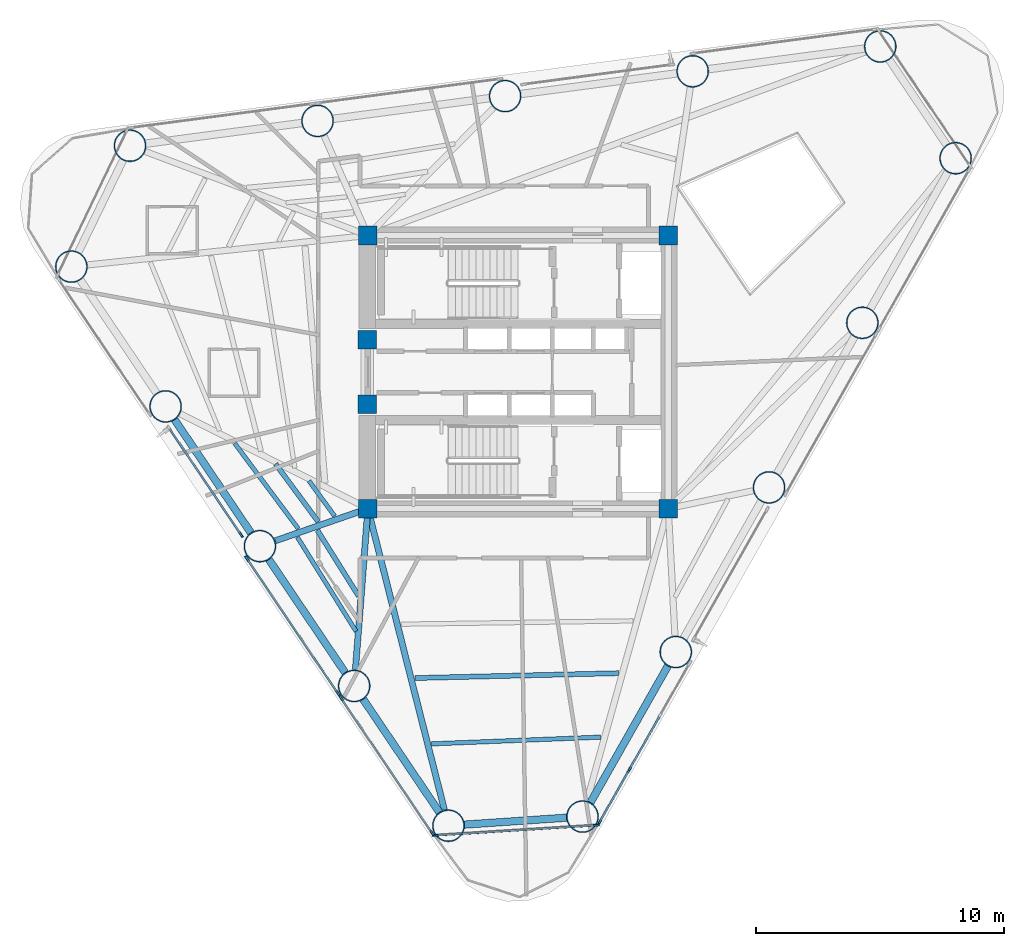
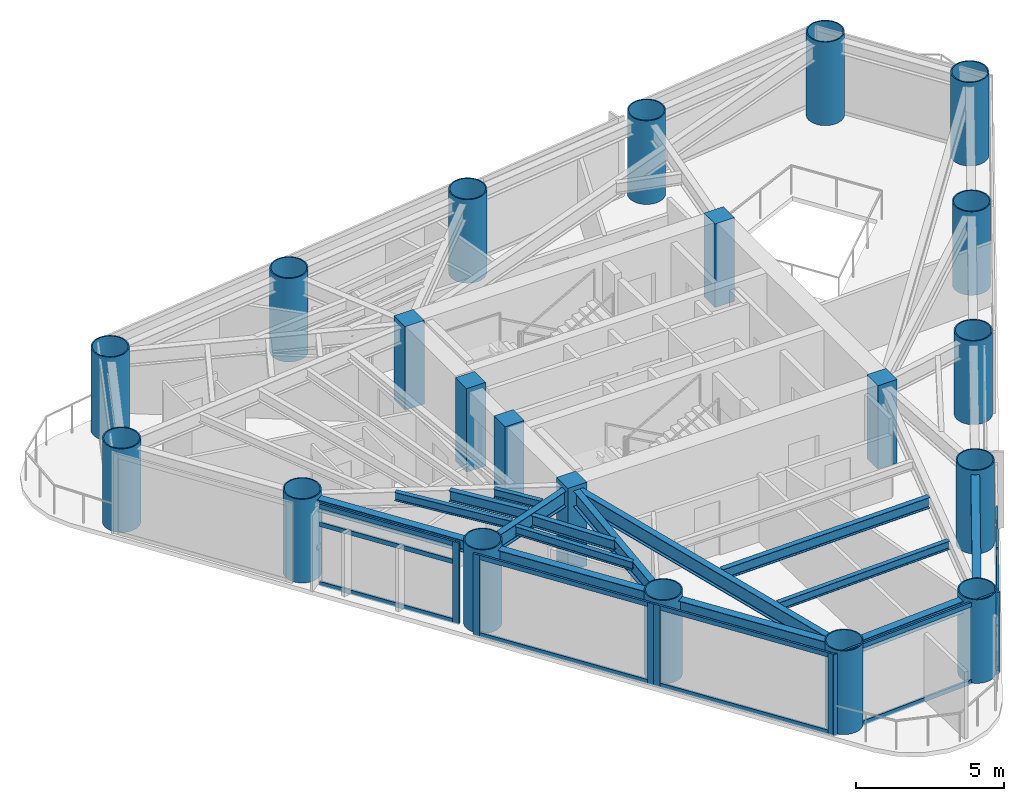
# One storey, part 1 of 9: 24 members, 21 columns, 15 beams, 5 elements without a shape of their own.
"""IFC4 building model written with IfcOpenShell, lengths in metres."""

import ifcopenshell
import ifcopenshell.guid

model = None  # the IFC model being written
_history = None  # IfcOwnerHistory: only IFC2X3 demands one
_inside = {}  # id of a spatial element -> (the spatial element, [elements in it])
_under = {}  # id of a project, library or spatial element -> (it, [spatial elements below it])
_declared = {}  # id of a project -> (the project, [libraries it declares])
_typed = {}  # id of a type object -> (the type object, [elements of that type])
_made_of = {}  # id of a material, layer set ... -> (it, [elements and type objects made of it])


def new_model(schema):
    """Start an empty IFC model of exactly this schema.

    Asked for "IFC4X3", IfcOpenShell would pick the latest addendum, in which some entities
    have other attributes; the version numbers below select the first issue.
    IFC2X3 requires an IfcOwnerHistory on every rooted entity: one is made here for all.
    """
    global model, _history
    if schema == "IFC4X3":
        model = ifcopenshell.file(schema_version=(4, 3, 0, 0))
    else:
        model = ifcopenshell.file(schema=schema)
    _inside.clear()
    _under.clear()
    _declared.clear()
    _typed.clear()
    _made_of.clear()
    _history = None
    if model.schema == "IFC2X3":
        org = make("IfcOrganization", Name="unknown")
        user = make(
            "IfcPersonAndOrganization",
            ThePerson=make("IfcPerson", FamilyName="unknown"),
            TheOrganization=org,
        )
        app = make(
            "IfcApplication",
            ApplicationDeveloper=org,
            Version="unknown",
            ApplicationFullName="unknown",
            ApplicationIdentifier="unknown",
        )
        _history = make(
            "IfcOwnerHistory",
            OwningUser=user,
            OwningApplication=app,
            ChangeAction="ADDED",
            CreationDate=0,
        )
    return model


def make(cls, **values):
    """One entity of the class cls with the attributes given. An attribute that is None is left unset."""
    return model.create_entity(
        cls, **{name: value for name, value in values.items() if value is not None}
    )


def rooted(cls, **values):
    """An entity with a GlobalId (a new one), such as an element, a storey or a relation."""
    return make(cls, GlobalId=ifcopenshell.guid.new(), OwnerHistory=_history, **values)


def si_unit(unit_type, name, prefix=None):
    """IfcSIUnit, for example si_unit("LENGTHUNIT", "METRE", prefix="MILLI")."""
    return make("IfcSIUnit", UnitType=unit_type, Prefix=prefix, Name=name)


def assignment(units):
    """IfcUnitAssignment: the units of a project."""
    return None if units is None else make("IfcUnitAssignment", Units=units)


def point(xyz):
    """IfcCartesianPoint."""
    return None if xyz is None else make("IfcCartesianPoint", Coordinates=xyz)


def direction(xyz):
    """IfcDirection."""
    return None if xyz is None else make("IfcDirection", DirectionRatios=xyz)


def frame(location, z_axis=None, x_axis=None):
    """IfcAxis2Placement3D, a coordinate frame: its origin and axes. An axis left out is left unset."""
    return make(
        "IfcAxis2Placement3D",
        Location=point(location),
        Axis=direction(z_axis),
        RefDirection=direction(x_axis),
    )


def frame_2d(location, x_axis=None):
    """IfcAxis2Placement2D, a coordinate frame in the plane: its origin and x axis."""
    return make(
        "IfcAxis2Placement2D", Location=point(location), RefDirection=direction(x_axis)
    )


def origin():
    """The frame at (0, 0, 0) with its axes left unset."""
    return frame((0.0, 0.0, 0.0))


def origin_2d():
    """The frame at (0, 0) in the plane with its x axis left unset."""
    return frame_2d((0.0, 0.0))


def place(relative_to, where):
    """IfcLocalPlacement: puts the frame where relative to a parent placement (None: the world)."""
    return make(
        "IfcLocalPlacement", PlacementRelTo=relative_to, RelativePlacement=where
    )


def context(
    kind, dimensions, precision=None, world=None, true_north=None, identifier=None
):
    """IfcGeometricRepresentationContext, for example the 3D "Model" context."""
    return make(
        "IfcGeometricRepresentationContext",
        ContextIdentifier=identifier,
        ContextType=kind,
        CoordinateSpaceDimension=dimensions,
        Precision=precision,
        WorldCoordinateSystem=world,
        TrueNorth=true_north,
    )


def subcontext(parent, identifier, kind, view, scale=None):
    """IfcGeometricRepresentationSubContext, for example "Body" below "Model"."""
    return make(
        "IfcGeometricRepresentationSubContext",
        ContextIdentifier=identifier,
        ContextType=kind,
        ParentContext=parent,
        TargetScale=scale,
        TargetView=view,
    )


def project(units=None, contexts=None):
    """IfcProject with its units and contexts."""
    return rooted(
        "IfcProject",
        Name="project",
        RepresentationContexts=contexts,
        UnitsInContext=assignment(units),
    )


def spatial(cls, under=None, at=None, **own):
    """A site, building, storey or space (cls), placed at a placement, below another one or the project."""
    s = rooted(cls, ObjectPlacement=at, **own)
    if under is not None:
        _under.setdefault(under.id(), (under, []))[1].append(s)
    return s


def profile(cls, at=None, kind="AREA", **sizes):
    """A parametric profile (cls). Its sizes go by their IFC names, for example OverallWidth=200.0."""
    return make(cls, ProfileType=kind, Position=at, **sizes)


def rectangle(**sizes):
    """IfcRectangleProfileDef."""
    return profile("IfcRectangleProfileDef", **sizes)


def hollow_circle(**sizes):
    """IfcCircleHollowProfileDef."""
    return profile("IfcCircleHollowProfileDef", **sizes)


def i_section(**sizes):
    """IfcIShapeProfileDef."""
    return profile("IfcIShapeProfileDef", **sizes)


def extrude(swept, where, along, depth):
    """IfcExtrudedAreaSolid: the profile swept, set in the frame where, extruded along a direction by depth."""
    return make(
        "IfcExtrudedAreaSolid",
        SweptArea=swept,
        Position=where,
        ExtrudedDirection=direction(along),
        Depth=depth,
    )


def shape(context_of_items, identifier, shape_type, items):
    """IfcShapeRepresentation: the items that make up one representation, for example the "Body"."""
    return make(
        "IfcShapeRepresentation",
        ContextOfItems=context_of_items,
        RepresentationIdentifier=identifier,
        RepresentationType=shape_type,
        Items=items,
    )


def source(mapping_origin, context_of_items, identifier, shape_type, items):
    """IfcRepresentationMap: a shape defined once, which mapped items show again and again."""
    return make(
        "IfcRepresentationMap",
        MappingOrigin=mapping_origin,
        MappedRepresentation=shape(context_of_items, identifier, shape_type, items),
    )


def transform(
    local_origin,
    x_axis=None,
    y_axis=None,
    z_axis=None,
    scale=None,
    scale2=None,
    scale3=None,
    uniform=True,
):
    """IfcCartesianTransformationOperator3D, or its non-uniform kind. x_axis, y_axis, z_axis: its Axis1, 2, 3."""
    if uniform:
        return make(
            "IfcCartesianTransformationOperator3D",
            Axis1=direction(x_axis),
            Axis2=direction(y_axis),
            LocalOrigin=point(local_origin),
            Scale=scale,
            Axis3=direction(z_axis),
        )
    return make(
        "IfcCartesianTransformationOperator3DnonUniform",
        Axis1=direction(x_axis),
        Axis2=direction(y_axis),
        LocalOrigin=point(local_origin),
        Scale=scale,
        Axis3=direction(z_axis),
        Scale2=scale2,
        Scale3=scale3,
    )


def mapped(mapping_source, mapping_target):
    """IfcMappedItem: shows the shape of a source again, moved by a transform."""
    return make(
        "IfcMappedItem", MappingSource=mapping_source, MappingTarget=mapping_target
    )


def material(Name=None, Category=None):
    """IfcMaterial."""
    return make("IfcMaterial", Name=Name, Category=Category)


def layer(
    of_material, thickness, ventilated=None, Name=None, Category=None, Priority=None
):
    """IfcMaterialLayer: one layer of a wall or slab, of a material (None: an air gap)."""
    return make(
        "IfcMaterialLayer",
        Material=of_material,
        LayerThickness=thickness,
        IsVentilated=ventilated,
        Name=Name,
        Category=Category,
        Priority=Priority,
    )


def layer_set(layers, Name=None):
    """IfcMaterialLayerSet."""
    return make("IfcMaterialLayerSet", MaterialLayers=layers, LayerSetName=Name)


def material_profile(
    of_material, cross_section, Name=None, Category=None, Priority=None
):
    """IfcMaterialProfile: a cross section and its material."""
    return make(
        "IfcMaterialProfile",
        Name=Name,
        Material=of_material,
        Profile=cross_section,
        Priority=Priority,
        Category=Category,
    )


def profile_set(profiles, Name=None, composite=None):
    """IfcMaterialProfileSet."""
    return make(
        "IfcMaterialProfileSet",
        Name=Name,
        MaterialProfiles=profiles,
        CompositeProfile=composite,
    )


def made_of(thing, what):
    """Note that an element or type object is made of a material, layer set ...; save() writes the relation."""
    if what is not None:
        _made_of.setdefault(what.id(), (what, []))[1].append(thing)
    return thing


def type_object(cls, material=None, **own):
    """A type object (cls), such as IfcWallType, which elements share."""
    return made_of(rooted(cls, **own), material)


def element(
    cls,
    number,
    at=None,
    inside=None,
    cuts=None,
    type_object=None,
    material=None,
    context=None,
    identifier="Body",
    shape_type=None,
    held_by="IfcProductDefinitionShape",
    body=None,
    shapes=None,
    **own,
):
    """One element of the class cls, such as IfcWall. Its Tag is "e" and its number.

    at: its placement. inside: the storey or other place that contains it. cuts: it is an
    opening in that element (IfcRelVoidsElement). A single representation is given by context,
    identifier, shape_type and body (its items); several are given by shapes. held_by: the class
    of the entity that holds the representations. save() writes the other relations.
    """
    e = rooted(cls, Tag="e%d" % number, ObjectPlacement=at, **own)
    if body is not None:
        shapes = [shape(context, identifier, shape_type, body)]
    if shapes is not None:
        e.Representation = make(held_by, Representations=shapes)
    if inside is not None:
        _inside.setdefault(inside.id(), (inside, []))[1].append(e)
    if cuts is not None:
        rooted(
            "IfcRelVoidsElement", RelatingBuildingElement=cuts, RelatedOpeningElement=e
        )
    if type_object is not None:
        _typed.setdefault(type_object.id(), (type_object, []))[1].append(e)
    return made_of(e, material)


def aggregate(whole, parts):
    """IfcRelAggregates: a whole, such as a stair, and the parts it consists of."""
    return rooted("IfcRelAggregates", RelatingObject=whole, RelatedObjects=parts)


def save(model, path):
    """Write the relations noted so far, then the file.

    IfcRelAggregates (storeys below a building ...), IfcRelContainedInSpatialStructure (elements
    in a storey), IfcRelDefinesByType, IfcRelAssociatesMaterial and IfcRelDeclares: one each for
    every whole, place, type object, material and project.
    """
    for whole, parts in _under.values():
        aggregate(whole, parts)
    for where, things in _inside.values():
        rooted(
            "IfcRelContainedInSpatialStructure",
            RelatedElements=things,
            RelatingStructure=where,
        )
    for kind, things in _typed.values():
        rooted("IfcRelDefinesByType", RelatedObjects=things, RelatingType=kind)
    for what, things in _made_of.values():
        rooted("IfcRelAssociatesMaterial", RelatedObjects=things, RelatingMaterial=what)
    for by, libraries in _declared.values():
        rooted("IfcRelDeclares", RelatingContext=by, RelatedDefinitions=libraries)
    model.write(path)


model = new_model("IFC4")

# Units and contexts
model_context = context("Model", 3, precision=1e-05, world=origin(), true_north=direction((0.0, 1.0)))
body_context = subcontext(model_context, "Body", "Model", "MODEL_VIEW")
ifc_project = project(units=[si_unit("LENGTHUNIT", "METRE"), si_unit("AREAUNIT", "SQUARE_METRE"), si_unit("VOLUMEUNIT", "CUBIC_METRE"), si_unit("PLANEANGLEUNIT", "RADIAN"), si_unit("MASSUNIT", "GRAM", prefix="KILO")], contexts=[model_context])

# Site, building, storey
site_placement = place(None, origin())
site = spatial("IfcSite", under=ifc_project, at=site_placement, CompositionType="ELEMENT")
building_placement = place(site_placement, origin())
building = spatial("IfcBuilding", under=site, at=building_placement, Name="Yunling Apex Tower", CompositionType="ELEMENT")
storey_placement = place(building_placement, frame((0.0, 0.0, 165.64990234375)))
storey = spatial("IfcBuildingStorey", under=building, at=storey_placement, Name="L40", CompositionType="ELEMENT", Elevation=165.64990234375)

# Columns
ifc_material_1 = material(Name="Concrete C50", Category="concrete")
ifc_material_profile_1 = material_profile(ifc_material_1, rectangle(XDim=0.75, YDim=0.75, at=origin_2d()))
ifc_profile_set_1 = profile_set([ifc_material_profile_1], Name="Concrete C50")
column_type_1 = type_object("IfcColumnType", Name="PC-SRC-4", PredefinedType="COLUMN", material=ifc_profile_set_1)
shared_shape_1 = source(origin(), body_context, "Body", "SweptSolid", [
    extrude(rectangle(XDim=0.75, YDim=0.75, at=origin_2d()), origin(), (0.0, 0.0, 1.0), 3.4501953125),
])
for number, where, z_axis, x_axis, name in (
    (1, (-6.050048828125, -5.5, 0.0), (0.0, 0.0, 1.0), (1.0, 0.0, 0.0), "L40 Core Spine Column CC-SW"),
    (2, (6.050048828125, -5.5, 0.0), (0.0, 0.0, 1.0), (1.0, 0.0, 0.0), "L40 Core Spine Column CC-SE"),
    (3, (6.050048828125, 5.5, 0.0), (0.0, 0.0, 1.0), (1.0, 0.0, 0.0), "L40 Core Spine Column CC-NE"),
    (4, (-6.050048828125, 5.5, 0.0), (0.0, 0.0, 1.0), (1.0, 0.0, 0.0), "L40 Core Spine Column CC-NW"),
    (5, (-6.074951171875, -1.300048828125, 0.0), (0.0, 0.0, 1.0), (1.0, 0.0, 0.0), "L40 Core West Portal Jamb Column S"),
    (6, (-6.074951171875, 1.300048828125, 0.0), (0.0, 0.0, 1.0), (1.0, 0.0, 0.0), "L40 Core West Portal Jamb Column N"),
):
    element("IfcColumn", number, at=place(storey_placement, frame(where, z_axis=z_axis, x_axis=x_axis)), inside=storey, type_object=column_type_1, Name=name, PredefinedType="COLUMN", context=body_context, shape_type="MappedRepresentation", body=[
        mapped(shared_shape_1, transform((0.0, 0.0, 0.0), scale=1.0)),
    ])
ifc_material_2 = material(Name="Steel Q390GJC", Category="steel")
ifc_material_profile_2 = material_profile(ifc_material_2, hollow_circle(Radius=0.64990234375, WallThickness=0.044921875, at=origin_2d()))
ifc_profile_set_2 = profile_set([ifc_material_profile_2], Name="Steel Q390GJC")
column_type_2 = type_object("IfcColumnType", Name="MC-CFST-3", PredefinedType="COLUMN", material=ifc_profile_set_2)
shared_shape_2 = source(origin(), body_context, "Body", "SweptSolid", [
    extrude(hollow_circle(Radius=0.64990234375, WallThickness=0.044921875, at=origin_2d()), origin(), (0.0, 0.0, 1.0), 3.4501953125),
])
for number, where, z_axis, x_axis, name in (
    (7, (2.5947265625, -17.907958984375, 0.0), (0.0, 0.0, 1.0), (1.0, 0.0, 0.0), "L40 Perimeter CFST Mega-Column P01"),
    (8, (6.351806640625, -11.27783203125, 0.0), (0.0, 0.0, 1.0), (1.0, 0.0, 0.0), "L40 Perimeter CFST Mega-Column P02"),
    (9, (10.109130859375, -4.64794921875, 0.0), (0.0, 0.0, 1.0), (1.0, 0.0, 0.0), "L40 Perimeter CFST Mega-Column P03"),
    (10, (13.8662109375, 1.982177734375, 0.0), (0.0, 0.0, 1.0), (1.0, 0.0, 0.0), "L40 Perimeter CFST Mega-Column P04"),
    (11, (17.62353515625, 8.612060546875, 0.0), (0.0, 0.0, 1.0), (1.0, 0.0, 0.0), "L40 Perimeter CFST Mega-Column P05"),
    (12, (14.5869140625, 13.114013671875, 0.0), (0.0, 0.0, 1.0), (1.0, 0.0, 0.0), "L40 Perimeter CFST Mega-Column P06"),
    (13, (7.0322265625, 12.114013671875, 0.0), (0.0, 0.0, 1.0), (1.0, 0.0, 0.0), "L40 Perimeter CFST Mega-Column P07"),
    (14, (-0.5224609375, 11.114013671875, 0.0), (0.0, 0.0, 1.0), (1.0, 0.0, 0.0), "L40 Perimeter CFST Mega-Column P08"),
    (15, (-8.0771484375, 10.1142578125, 0.0), (0.0, 0.0, 1.0), (1.0, 0.0, 0.0), "L40 Perimeter CFST Mega-Column P09"),
    (16, (-15.6318359375, 9.1142578125, 0.0), (0.0, 0.0, 1.0), (1.0, 0.0, 0.0), "L40 Perimeter CFST Mega-Column P10"),
    (17, (-17.9951171875, 4.2451171875, 0.0), (0.0, 0.0, 1.0), (1.0, 0.0, 0.0), "L40 Perimeter CFST Mega-Column P11"),
    (18, (-14.197509765625, -1.384765625, 0.0), (0.0, 0.0, 1.0), (1.0, 0.0, 0.0), "L40 Perimeter CFST Mega-Column P12"),
    (19, (-10.39990234375, -7.014892578125, 0.0), (0.0, 0.0, 1.0), (1.0, 0.0, 0.0), "L40 Perimeter CFST Mega-Column P13"),
    (20, (-6.6025390625, -12.64501953125, 0.0), (0.0, 0.0, 1.0), (1.0, 0.0, 0.0), "L40 Perimeter CFST Mega-Column P14"),
    (21, (-2.804931640625, -18.27490234375, 0.0), (0.0, 0.0, 1.0), (1.0, 0.0, 0.0), "L40 Perimeter CFST Mega-Column P15"),
):
    element("IfcColumn", number, at=place(storey_placement, frame(where, z_axis=z_axis, x_axis=x_axis)), inside=storey, type_object=column_type_2, Name=name, PredefinedType="COLUMN", context=body_context, shape_type="MappedRepresentation", body=[
        mapped(shared_shape_2, transform((0.0, 0.0, 0.0), scale=1.0)),
    ])

# Beams
ifc_material_3 = material(Name="Steel Q355B", Category="steel")
ifc_material_profile_3 = material_profile(ifc_material_3, i_section(OverallWidth=0.300048828125, OverallDepth=0.489990234375, WebThickness=0.010986328125, FlangeThickness=0.01806640625, FilletRadius=0.02197265625, at=origin_2d()))
ifc_profile_set_3 = profile_set([ifc_material_profile_3], Name="Steel Q355B")
beam_type_1 = type_object("IfcBeamType", Name="BP-SPN-2", PredefinedType="SPANDREL", material=ifc_profile_set_3)
shared_shape_3 = source(origin(), body_context, "Body", "SweptSolid", [
    extrude(i_section(OverallWidth=0.300048828125, OverallDepth=0.489990234375, WebThickness=0.010986328125, FlangeThickness=0.01806640625, FilletRadius=0.02197265625, at=origin_2d()), origin(), (0.0, 0.0, 1.0), 6.332763671875),
])
beam_1_placement = place(storey_placement, frame((2.912109375, -17.34765625, 3.025146484375), z_axis=(0.493042725972, 0.870005097897, 0.0), x_axis=(-0.870005097897, 0.493042725972, 0.0)))
element("IfcBeam", 22, at=beam_1_placement, inside=storey, type_object=beam_type_1, Name="L40 Perimeter Spandrel Beam 1", PredefinedType="SPANDREL", context=body_context, shape_type="MappedRepresentation", body=[
    mapped(shared_shape_3, transform((0.0, 0.0, 0.0), scale=1.0)),
])
shared_shape_4 = source(origin(), body_context, "Body", "SweptSolid", [
    extrude(i_section(OverallWidth=0.300048828125, OverallDepth=0.489990234375, WebThickness=0.010986328125, FlangeThickness=0.01806640625, FilletRadius=0.02197265625, at=origin_2d()), origin(), (0.0, 0.0, 1.0), 5.5029296875),
])
beam_2_placement = place(storey_placement, frame((-10.039794921875, -7.548828125, 3.025146484375), z_axis=(0.559176417619, -0.829048692164, 0.0), x_axis=(0.829048692164, 0.559176417619, 0.0)))
element("IfcBeam", 23, at=beam_2_placement, inside=storey, type_object=beam_type_1, Name="L40 Perimeter Spandrel Beam 13", PredefinedType="SPANDREL", context=body_context, shape_type="MappedRepresentation", body=[
    mapped(shared_shape_4, transform((0.0, 0.0, 0.0), scale=1.0)),
])
shared_shape_5 = source(origin(), body_context, "Body", "SweptSolid", [
    extrude(i_section(OverallWidth=0.300048828125, OverallDepth=0.489990234375, WebThickness=0.010986328125, FlangeThickness=0.01806640625, FilletRadius=0.02197265625, at=origin_2d()), origin(), (0.0, 0.0, 1.0), 5.503173828125),
])
beam_3_placement = place(storey_placement, frame((-13.83740234375, -1.918701171875, 3.025146484375), z_axis=(0.55920690951, -0.82902812519, 0.0), x_axis=(0.82902812519, 0.55920690951, 0.0)))
element("IfcBeam", 24, at=beam_3_placement, inside=storey, type_object=beam_type_1, Name="L40 Perimeter Spandrel Beam 12", PredefinedType="SPANDREL", context=body_context, shape_type="MappedRepresentation", body=[
    mapped(shared_shape_5, transform((0.0, 0.0, 0.0), scale=1.0)),
])
shared_shape_6 = source(origin(), body_context, "Body", "SweptSolid", [
    extrude(i_section(OverallWidth=0.300048828125, OverallDepth=0.489990234375, WebThickness=0.010986328125, FlangeThickness=0.01806640625, FilletRadius=0.02197265625, at=origin_2d()), origin(), (0.0, 0.0, 1.0), 5.50341796875),
])
beam_4_placement = place(storey_placement, frame((-6.242431640625, -13.1787109375, 3.025146484375), z_axis=(0.55918634307, -0.829041997564, 0.0), x_axis=(0.829041997564, 0.55918634307, 0.0)))
element("IfcBeam", 25, at=beam_4_placement, inside=storey, type_object=beam_type_1, Name="L40 Perimeter Spandrel Beam 14", PredefinedType="SPANDREL", context=body_context, shape_type="MappedRepresentation", body=[
    mapped(shared_shape_6, transform((0.0, 0.0, 0.0), scale=1.0)),
])
shared_shape_7 = source(origin(), body_context, "Body", "SweptSolid", [
    extrude(i_section(OverallWidth=0.300048828125, OverallDepth=0.489990234375, WebThickness=0.010986328125, FlangeThickness=0.01806640625, FilletRadius=0.02197265625, at=origin_2d()), origin(), (0.0, 0.0, 1.0), 4.124267578125),
])
beam_5_placement = place(storey_placement, frame((-2.16259765625, -18.231201171875, 3.025146484375), z_axis=(0.997700280582, 0.067780160274, 0.0), x_axis=(-0.067780160274, 0.997700280582, 0.0)))
element("IfcBeam", 26, at=beam_5_placement, inside=storey, type_object=beam_type_1, Name="L40 Perimeter Spandrel Beam 15", PredefinedType="SPANDREL", context=body_context, shape_type="MappedRepresentation", body=[
    mapped(shared_shape_7, transform((0.0, 0.0, 0.0), scale=1.0)),
])
ifc_material_profile_4 = material_profile(ifc_material_3, i_section(OverallWidth=0.25, OverallDepth=0.64990234375, WebThickness=0.011962890625, FlangeThickness=0.02001953125, FilletRadius=0.02392578125, at=origin_2d()))
ifc_profile_set_4 = profile_set([ifc_material_profile_4], Name="Steel Q355B")
beam_type_2 = type_object("IfcBeamType", Name="BG-PRI-4", PredefinedType="USERDEFINED", material=ifc_profile_set_4)
shared_shape_8 = source(origin(), body_context, "Body", "SweptSolid", [
    extrude(i_section(OverallWidth=0.25, OverallDepth=0.64990234375, WebThickness=0.011962890625, FlangeThickness=0.02001953125, FilletRadius=0.02392578125, at=origin_2d()), origin(), (0.0, 0.0, 1.0), 3.8681640625),
])
beam_6_placement = place(storey_placement, frame((-9.778564453125, -6.798583984375, 2.945068359375), z_axis=(0.944369860351, 0.328885339991, 0.0), x_axis=(-0.328885339991, 0.944369860351, 0.0)))
element("IfcBeam", 27, at=beam_6_placement, inside=storey, type_object=beam_type_2, Name="L40 Radial Primary Girder R13", ObjectType="GIRDER", PredefinedType="USERDEFINED", context=body_context, shape_type="MappedRepresentation", body=[
    mapped(shared_shape_8, transform((0.0, 0.0, 0.0), scale=1.0)),
])
shared_shape_9 = source(origin(), body_context, "Body", "SweptSolid", [
    extrude(i_section(OverallWidth=0.25, OverallDepth=0.64990234375, WebThickness=0.011962890625, FlangeThickness=0.02001953125, FilletRadius=0.02392578125, at=origin_2d()), origin(), (0.0, 0.0, 1.0), 6.42822265625),
])
beam_7_placement = place(storey_placement, frame((-6.5517578125, -11.989013671875, 2.945068359375), z_axis=(0.077097282386, 0.997023574971, 0.0), x_axis=(-0.997023574971, 0.077097282386, 0.0)))
element("IfcBeam", 28, at=beam_7_placement, inside=storey, type_object=beam_type_2, Name="L40 Radial Primary Girder R14", ObjectType="GIRDER", PredefinedType="USERDEFINED", context=body_context, shape_type="MappedRepresentation", body=[
    mapped(shared_shape_9, transform((0.0, 0.0, 0.0), scale=1.0)),
])
shared_shape_10 = source(origin(), body_context, "Body", "SweptSolid", [
    extrude(i_section(OverallWidth=0.25, OverallDepth=0.64990234375, WebThickness=0.011962890625, FlangeThickness=0.02001953125, FilletRadius=0.02392578125, at=origin_2d()), origin(), (0.0, 0.0, 1.0), 12.44287109375),
])
beam_8_placement = place(storey_placement, frame((-2.967041015625, -17.63720703125, 2.945068359375), z_axis=(-0.246185736667, 0.969222669494, 0.0), x_axis=(-0.969222669494, -0.246185736667, 0.0)))
element("IfcBeam", 29, at=beam_8_placement, inside=storey, type_object=beam_type_2, Name="L40 Radial Primary Girder R15", ObjectType="GIRDER", PredefinedType="USERDEFINED", context=body_context, shape_type="MappedRepresentation", body=[
    mapped(shared_shape_10, transform((0.0, 0.0, 0.0), scale=1.0)),
])
ifc_material_profile_5 = material_profile(ifc_material_3, i_section(OverallWidth=0.199951171875, OverallDepth=0.449951171875, WebThickness=0.009033203125, FlangeThickness=0.013916015625, FilletRadius=0.01806640625, at=origin_2d()))
ifc_profile_set_5 = profile_set([ifc_material_profile_5], Name="Steel Q355B")
beam_type_3 = type_object("IfcBeamType", Name="BS-SEC-3", PredefinedType="BEAM", material=ifc_profile_set_5)
shared_shape_11 = source(origin(), body_context, "Body", "SweptSolid", [
    extrude(i_section(OverallWidth=0.199951171875, OverallDepth=0.449951171875, WebThickness=0.009033203125, FlangeThickness=0.013916015625, FilletRadius=0.01806640625, at=origin_2d()), origin(), (0.0, 0.0, 1.0), 2.900146484375),
])
beam_9_placement = place(storey_placement, frame((-9.770751953125, -3.701416015625, 3.045166015625), z_axis=(0.594341352087, -0.804212880523, 0.0), x_axis=(0.804212880523, 0.594341352087, 0.0)))
element("IfcBeam", 30, at=beam_9_placement, inside=storey, type_object=beam_type_3, Name="L40 Composite Floor Beam BS-12", PredefinedType="BEAM", context=body_context, shape_type="MappedRepresentation", body=[
    mapped(shared_shape_11, transform((0.0, 0.0, 0.0), scale=1.0)),
])
ifc_material_profile_6 = material_profile(ifc_material_3, i_section(OverallWidth=0.175048828125, OverallDepth=0.35009765625, WebThickness=0.007080078125, FlangeThickness=0.010986328125, FilletRadius=0.013916015625, at=origin_2d()))
ifc_profile_set_6 = profile_set([ifc_material_profile_6], Name="Steel Q355B")
beam_type_4 = type_object("IfcBeamType", Name="BJ-JST-1", PredefinedType="JOIST", material=ifc_profile_set_6)
shared_shape_12 = source(origin(), body_context, "Body", "SweptSolid", [
    extrude(i_section(OverallWidth=0.175048828125, OverallDepth=0.35009765625, WebThickness=0.007080078125, FlangeThickness=0.010986328125, FilletRadius=0.013916015625, at=origin_2d()), origin(), (0.0, 0.0, 1.0), 4.2958984375),
])
beam_10_placement = place(storey_placement, frame((-11.417724609375, -2.868896484375, 3.09521484375), z_axis=(0.597405367493, -0.801939415972, 0.0), x_axis=(0.801939415972, 0.597405367493, 0.0)))
element("IfcBeam", 31, at=beam_10_placement, inside=storey, type_object=beam_type_4, Name="L40 Composite Floor Joist BJ1-12", PredefinedType="JOIST", context=body_context, shape_type="MappedRepresentation", body=[
    mapped(shared_shape_12, transform((0.0, 0.0, 0.0), scale=1.0)),
])
shared_shape_13 = source(origin(), body_context, "Body", "SweptSolid", [
    extrude(i_section(OverallWidth=0.175048828125, OverallDepth=0.35009765625, WebThickness=0.007080078125, FlangeThickness=0.010986328125, FilletRadius=0.013916015625, at=origin_2d()), origin(), (0.0, 0.0, 1.0), 1.75830078125),
])
beam_11_placement = place(storey_placement, frame((-8.423583984375, -4.3828125, 3.09521484375), z_axis=(0.58860919459, -0.808417723732, 0.0), x_axis=(0.808417723732, 0.58860919459, 0.0)))
element("IfcBeam", 32, at=beam_11_placement, inside=storey, type_object=beam_type_4, Name="L40 Composite Floor Joist BJ3-12", PredefinedType="JOIST", context=body_context, shape_type="MappedRepresentation", body=[
    mapped(shared_shape_13, transform((0.0, 0.0, 0.0), scale=1.0)),
])
shared_shape_14 = source(origin(), body_context, "Body", "SweptSolid", [
    extrude(i_section(OverallWidth=0.199951171875, OverallDepth=0.449951171875, WebThickness=0.009033203125, FlangeThickness=0.013916015625, FilletRadius=0.01806640625, at=origin_2d()), origin(), (0.0, 0.0, 1.0), 3.138427734375),
])
beam_12_placement = place(storey_placement, frame((-8.086181640625, -6.374267578125, 3.045166015625), z_axis=(0.531291876234, -0.847188846862, 0.0), x_axis=(0.847188846862, 0.531291876234, 0.0)))
element("IfcBeam", 33, at=beam_12_placement, inside=storey, type_object=beam_type_3, Name="L40 Composite Floor Beam BS-13", PredefinedType="BEAM", context=body_context, shape_type="MappedRepresentation", body=[
    mapped(shared_shape_14, transform((0.0, 0.0, 0.0), scale=1.0)),
])
shared_shape_15 = source(origin(), body_context, "Body", "SweptSolid", [
    extrude(i_section(OverallWidth=0.175048828125, OverallDepth=0.35009765625, WebThickness=0.007080078125, FlangeThickness=0.010986328125, FilletRadius=0.013916015625, at=origin_2d()), origin(), (0.0, 0.0, 1.0), 4.46533203125),
])
beam_13_placement = place(storey_placement, frame((-8.890380859375, -6.654296875, 3.09521484375), z_axis=(0.529197625192, -0.848498599581, 0.0), x_axis=(0.848498599581, 0.529197625192, 0.0)))
element("IfcBeam", 34, at=beam_13_placement, inside=storey, type_object=beam_type_4, Name="L40 Composite Floor Joist BJ1-13", PredefinedType="JOIST", context=body_context, shape_type="MappedRepresentation", body=[
    mapped(shared_shape_15, transform((0.0, 0.0, 0.0), scale=1.0)),
])
shared_shape_16 = source(origin(), body_context, "Body", "SweptSolid", [
    extrude(i_section(OverallWidth=0.199951171875, OverallDepth=0.449951171875, WebThickness=0.009033203125, FlangeThickness=0.013916015625, FilletRadius=0.01806640625, at=origin_2d()), origin(), (0.0, 0.0, 1.0), 8.20166015625),
])
beam_14_placement = place(storey_placement, frame((-4.15478515625, -12.3271484375, 3.045166015625), z_axis=(0.999714273785, 0.023903363562, 0.0), x_axis=(-0.023903363562, 0.999714273785, 0.0)))
element("IfcBeam", 35, at=beam_14_placement, inside=storey, type_object=beam_type_3, Name="L40 Composite Floor Beam BS-15", PredefinedType="BEAM", context=body_context, shape_type="MappedRepresentation", body=[
    mapped(shared_shape_16, transform((0.0, 0.0, 0.0), scale=1.0)),
])
shared_shape_17 = source(origin(), body_context, "Body", "SweptSolid", [
    extrude(i_section(OverallWidth=0.175048828125, OverallDepth=0.35009765625, WebThickness=0.007080078125, FlangeThickness=0.010986328125, FilletRadius=0.013916015625, at=origin_2d()), origin(), (0.0, 0.0, 1.0), 6.814453125),
])
beam_15_placement = place(storey_placement, frame((-3.481201171875, -14.977783203125, 3.09521484375), z_axis=(0.999210374008, 0.039731957862, 0.0), x_axis=(-0.039731957862, 0.999210374008, 0.0)))
element("IfcBeam", 36, at=beam_15_placement, inside=storey, type_object=beam_type_4, Name="L40 Composite Floor Joist BJ1-15", PredefinedType="JOIST", context=body_context, shape_type="MappedRepresentation", body=[
    mapped(shared_shape_17, transform((0.0, 0.0, 0.0), scale=1.0)),
])

# Curtain wall, members
ifc_material_4 = material(Name="Bronze anodised aluminium", Category="aluminium")
ifc_layer = layer(ifc_material_4, 0.239990234375)
ifc_layer_set = layer_set([ifc_layer], Name="Bronze anodised aluminium")
curtain_wall_type = type_object("IfcCurtainWallType", Name="CW-SYS-3", PredefinedType="NOTDEFINED", material=ifc_layer_set)
curtain_wall_1_placement = place(storey_placement, origin())
curtain_wall_1 = element("IfcCurtainWall", 37, at=curtain_wall_1_placement, inside=storey, type_object=curtain_wall_type, Name="CW-L40-F1-B1", PredefinedType="NOTDEFINED")
ifc_material_profile_7 = material_profile(ifc_material_4, rectangle(XDim=0.080078125, YDim=0.239990234375, at=origin_2d()))
ifc_profile_set_7 = profile_set([ifc_material_profile_7], Name="Bronze anodised aluminium")
member_type_1 = type_object("IfcMemberType", Name="CW-MUL-3", PredefinedType="MULLION", material=ifc_profile_set_7)
shared_shape_18 = source(origin(), body_context, "Body", "SweptSolid", [
    extrude(rectangle(XDim=0.080078125, YDim=0.239990234375, at=origin_2d()), origin(), (0.0, 0.0, 1.0), 3.369873046875),
])
member_1_placement = place(storey_placement, frame((3.271484375, -18.153564453125, -0.0498046875), z_axis=(0.0, 0.0, 1.0), x_axis=(-0.870006087438, 0.493040979859, 0.0)))
member_1 = element("IfcMember", 38, at=member_1_placement, type_object=member_type_1, Name="CW-SYS-3 mullion 1", PredefinedType="MULLION", context=body_context, shape_type="MappedRepresentation", body=[
    mapped(shared_shape_18, transform((0.0, 0.0, 0.0), scale=1.0)),
])
member_2_placement = place(storey_placement, frame((4.47802734375, -16.02490234375, -0.0498046875), z_axis=(0.0, 0.0, 1.0), x_axis=(-0.870006087438, 0.493040979859, 0.0)))
member_2 = element("IfcMember", 39, at=member_2_placement, type_object=member_type_1, Name="CW-SYS-3 mullion 2", PredefinedType="MULLION", context=body_context, shape_type="MappedRepresentation", body=[
    mapped(shared_shape_18, transform((0.0, 0.0, 0.0), scale=1.0)),
])

# Curtain wall, member
curtain_wall_2_placement = place(storey_placement, origin())
curtain_wall_2 = element("IfcCurtainWall", 40, at=curtain_wall_2_placement, inside=storey, type_object=curtain_wall_type, Name="CW-L40-F3-B2", PredefinedType="NOTDEFINED")
member_3_placement = place(storey_placement, frame((-11.15966796875, -6.55029296875, -0.0498046875), z_axis=(0.0, 0.0, 1.0), x_axis=(0.829026137089, 0.559209856873, 0.0)))
member_3 = element("IfcMember", 41, at=member_3_placement, type_object=member_type_1, Name="CW-SYS-3 mullion 2", PredefinedType="MULLION", context=body_context, shape_type="MappedRepresentation", body=[
    mapped(shared_shape_18, transform((0.0, 0.0, 0.0), scale=1.0)),
])

# Curtain wall, members
curtain_wall_3_placement = place(storey_placement, origin())
curtain_wall_3 = element("IfcCurtainWall", 42, at=curtain_wall_3_placement, inside=storey, type_object=curtain_wall_type, Name="CW-L40-F3-B3", PredefinedType="NOTDEFINED")
member_4_placement = place(storey_placement, frame((-10.921630859375, -7.511474609375, -0.0498046875), z_axis=(0.0, 0.0, 1.0), x_axis=(0.829040587205, 0.559188434042, 0.0)))
member_4 = element("IfcMember", 43, at=member_4_placement, type_object=member_type_1, Name="CW-SYS-3 mullion 1", PredefinedType="MULLION", context=body_context, shape_type="MappedRepresentation", body=[
    mapped(shared_shape_18, transform((0.0, 0.0, 0.0), scale=1.0)),
])
member_5_placement = place(storey_placement, frame((-7.25830078125, -12.9423828125, -0.0498046875), z_axis=(0.0, 0.0, 1.0), x_axis=(0.829040587205, 0.559188434042, 0.0)))
member_5 = element("IfcMember", 44, at=member_5_placement, type_object=member_type_1, Name="CW-SYS-3 mullion 2", PredefinedType="MULLION", context=body_context, shape_type="MappedRepresentation", body=[
    mapped(shared_shape_18, transform((0.0, 0.0, 0.0), scale=1.0)),
])

curtain_wall_4_placement = place(storey_placement, origin())
curtain_wall_4 = element("IfcCurtainWall", 45, at=curtain_wall_4_placement, inside=storey, type_object=curtain_wall_type, Name="CW-L40-F3-B4", PredefinedType="NOTDEFINED")
member_6_placement = place(storey_placement, frame((-7.1240234375, -13.141357421875, -0.0498046875), z_axis=(0.0, 0.0, 1.0), x_axis=(0.829045302692, 0.559181442901, 0.0)))
member_6 = element("IfcMember", 46, at=member_6_placement, type_object=member_type_1, Name="CW-SYS-3 mullion 1", PredefinedType="MULLION", context=body_context, shape_type="MappedRepresentation", body=[
    mapped(shared_shape_18, transform((0.0, 0.0, 0.0), scale=1.0)),
])
member_7_placement = place(storey_placement, frame((-3.460693359375, -18.572509765625, -0.0498046875), z_axis=(0.0, 0.0, 1.0), x_axis=(0.829045302692, 0.559181442901, 0.0)))
member_7 = element("IfcMember", 47, at=member_7_placement, type_object=member_type_1, Name="CW-SYS-3 mullion 2", PredefinedType="MULLION", context=body_context, shape_type="MappedRepresentation", body=[
    mapped(shared_shape_18, transform((0.0, 0.0, 0.0), scale=1.0)),
])

curtain_wall_5_placement = place(storey_placement, origin())
curtain_wall_5 = element("IfcCurtainWall", 48, at=curtain_wall_5_placement, inside=storey, type_object=curtain_wall_type, Name="CW-L40-CRN3", PredefinedType="NOTDEFINED")
member_8_placement = place(storey_placement, frame((-3.337158203125, -18.658203125, -0.0498046875), z_axis=(0.0, 0.0, 1.0), x_axis=(-0.062672311308, 0.998034158431, 0.0)))
member_8 = element("IfcMember", 49, at=member_8_placement, type_object=member_type_1, Name="CW-SYS-3 mullion 1", PredefinedType="MULLION", context=body_context, shape_type="MappedRepresentation", body=[
    mapped(shared_shape_18, transform((0.0, 0.0, 0.0), scale=1.0)),
])
member_9_placement = place(storey_placement, frame((3.155029296875, -18.25048828125, -0.0498046875), z_axis=(0.0, 0.0, 1.0), x_axis=(-0.062672311308, 0.998034158431, 0.0)))
member_9 = element("IfcMember", 50, at=member_9_placement, type_object=member_type_1, Name="CW-SYS-3 mullion 2", PredefinedType="MULLION", context=body_context, shape_type="MappedRepresentation", body=[
    mapped(shared_shape_18, transform((0.0, 0.0, 0.0), scale=1.0)),
])

# Member
ifc_material_profile_8 = material_profile(ifc_material_4, rectangle(XDim=0.080078125, YDim=0.18505859375, at=origin_2d()))
ifc_profile_set_8 = profile_set([ifc_material_profile_8], Name="Bronze anodised aluminium")
member_type_2 = type_object("IfcMemberType", Name="CW-TRN-3", PredefinedType="USERDEFINED", material=ifc_profile_set_8)
shared_shape_19 = source(origin(), body_context, "Body", "SweptSolid", [
    extrude(rectangle(XDim=0.080078125, YDim=0.18505859375, at=origin_2d()), origin(), (0.0, 0.0, 1.0), 2.374755859375),
])
member_10_placement = place(storey_placement, frame((3.289306640625, -18.122314453125, 0.0400390625), z_axis=(0.493035916127, 0.870008957085, 0.0), x_axis=(-0.870008957085, 0.493035916127, 0.0)))
member_10 = element("IfcMember", 51, at=member_10_placement, type_object=member_type_2, Name="CW-SYS-3 transom 1.1", ObjectType="TRANSOM", PredefinedType="USERDEFINED", context=body_context, shape_type="MappedRepresentation", body=[
    mapped(shared_shape_19, transform((0.0, 0.0, 0.0), scale=1.0)),
])

member_11_placement = place(storey_placement, frame((3.289306640625, -18.122314453125, 2.4853515625), z_axis=(0.493035916127, 0.870008957085, 0.0), x_axis=(-0.870008957085, 0.493035916127, 0.0)))
member_11 = element("IfcMember", 52, at=member_11_placement, type_object=member_type_2, Name="CW-SYS-3 transom 1.2", ObjectType="TRANSOM", PredefinedType="USERDEFINED", context=body_context, shape_type="MappedRepresentation", body=[
    mapped(shared_shape_19, transform((0.0, 0.0, 0.0), scale=1.0)),
])

member_12_placement = place(storey_placement, frame((3.289306640625, -18.122314453125, 3.22998046875), z_axis=(0.493035916127, 0.870008957085, 0.0), x_axis=(-0.870008957085, 0.493035916127, 0.0)))
member_12 = element("IfcMember", 53, at=member_12_placement, type_object=member_type_2, Name="CW-SYS-3 transom 1.3", ObjectType="TRANSOM", PredefinedType="USERDEFINED", context=body_context, shape_type="MappedRepresentation", body=[
    mapped(shared_shape_19, transform((0.0, 0.0, 0.0), scale=1.0)),
])

shared_shape_20 = source(origin(), body_context, "Body", "SweptSolid", [
    extrude(rectangle(XDim=0.080078125, YDim=0.18505859375, at=origin_2d()), origin(), (0.0, 0.0, 1.0), 2.414794921875),
])
member_13_placement = place(storey_placement, frame((4.49560546875, -15.993408203125, 0.0400390625), z_axis=(0.49307634424, 0.869986045147, 0.0), x_axis=(-0.869986045147, 0.49307634424, 0.0)))
member_13 = element("IfcMember", 54, at=member_13_placement, type_object=member_type_2, Name="CW-SYS-3 transom 2.1", ObjectType="TRANSOM", PredefinedType="USERDEFINED", context=body_context, shape_type="MappedRepresentation", body=[
    mapped(shared_shape_20, transform((0.0, 0.0, 0.0), scale=1.0)),
])

member_14_placement = place(storey_placement, frame((4.49560546875, -15.993408203125, 2.4853515625), z_axis=(0.49307634424, 0.869986045147, 0.0), x_axis=(-0.869986045147, 0.49307634424, 0.0)))
member_14 = element("IfcMember", 55, at=member_14_placement, type_object=member_type_2, Name="CW-SYS-3 transom 2.2", ObjectType="TRANSOM", PredefinedType="USERDEFINED", context=body_context, shape_type="MappedRepresentation", body=[
    mapped(shared_shape_20, transform((0.0, 0.0, 0.0), scale=1.0)),
])

member_15_placement = place(storey_placement, frame((4.49560546875, -15.993408203125, 3.22998046875), z_axis=(0.49307634424, 0.869986045147, 0.0), x_axis=(-0.869986045147, 0.49307634424, 0.0)))
member_15 = element("IfcMember", 56, at=member_15_placement, type_object=member_type_2, Name="CW-SYS-3 transom 2.3", ObjectType="TRANSOM", PredefinedType="USERDEFINED", context=body_context, shape_type="MappedRepresentation", body=[
    mapped(shared_shape_20, transform((0.0, 0.0, 0.0), scale=1.0)),
])

aggregate(curtain_wall_1, [member_1, member_2, member_10, member_11, member_12, member_13, member_14, member_15])

shared_shape_21 = source(origin(), body_context, "Body", "SweptSolid", [
    extrude(rectangle(XDim=0.080078125, YDim=0.18505859375, at=origin_2d()), origin(), (0.0, 0.0, 1.0), 6.43310546875),
])
member_16_placement = place(storey_placement, frame((-3.30126953125, -18.656005859375, 0.0400390625), z_axis=(0.998035114575, 0.062657083206, 0.0), x_axis=(-0.062657083206, 0.998035114575, 0.0)))
member_16 = element("IfcMember", 57, at=member_16_placement, type_object=member_type_2, Name="CW-SYS-3 transom 1.1", ObjectType="TRANSOM", PredefinedType="USERDEFINED", context=body_context, shape_type="MappedRepresentation", body=[
    mapped(shared_shape_21, transform((0.0, 0.0, 0.0), scale=1.0)),
])

member_17_placement = place(storey_placement, frame((-3.30126953125, -18.656005859375, 3.22998046875), z_axis=(0.998035114575, 0.062657083206, 0.0), x_axis=(-0.062657083206, 0.998035114575, 0.0)))
member_17 = element("IfcMember", 58, at=member_17_placement, type_object=member_type_2, Name="CW-SYS-3 transom 1.2", ObjectType="TRANSOM", PredefinedType="USERDEFINED", context=body_context, shape_type="MappedRepresentation", body=[
    mapped(shared_shape_21, transform((0.0, 0.0, 0.0), scale=1.0)),
])

aggregate(curtain_wall_5, [member_8, member_9, member_16, member_17])

shared_shape_22 = source(origin(), body_context, "Body", "SweptSolid", [
    extrude(rectangle(XDim=0.080078125, YDim=0.18505859375, at=origin_2d()), origin(), (0.0, 0.0, 1.0), 6.479248046875),
])
member_18_placement = place(storey_placement, frame((-7.10400390625, -13.171142578125, 0.0400390625), z_axis=(0.559179012054, -0.829046942265, 0.0), x_axis=(0.829046942265, 0.559179012054, 0.0)))
member_18 = element("IfcMember", 59, at=member_18_placement, type_object=member_type_2, Name="CW-SYS-3 transom 1.1", ObjectType="TRANSOM", PredefinedType="USERDEFINED", context=body_context, shape_type="MappedRepresentation", body=[
    mapped(shared_shape_22, transform((0.0, 0.0, 0.0), scale=1.0)),
])

member_19_placement = place(storey_placement, frame((-7.10400390625, -13.171142578125, 3.22998046875), z_axis=(0.559179012054, -0.829046942265, 0.0), x_axis=(0.829046942265, 0.559179012054, 0.0)))
member_19 = element("IfcMember", 60, at=member_19_placement, type_object=member_type_2, Name="CW-SYS-3 transom 1.2", ObjectType="TRANSOM", PredefinedType="USERDEFINED", context=body_context, shape_type="MappedRepresentation", body=[
    mapped(shared_shape_22, transform((0.0, 0.0, 0.0), scale=1.0)),
])

aggregate(curtain_wall_4, [member_6, member_7, member_18, member_19])

shared_shape_23 = source(origin(), body_context, "Body", "SweptSolid", [
    extrude(rectangle(XDim=0.080078125, YDim=0.18505859375, at=origin_2d()), origin(), (0.0, 0.0, 1.0), 5.09912109375),
])
member_20_placement = place(storey_placement, frame((-14.03125, -2.293212890625, 0.0400390625), z_axis=(0.559222026941, -0.829017927782, 0.0), x_axis=(0.829017927782, 0.559222026941, 0.0)))
member_20 = element("IfcMember", 61, at=member_20_placement, type_object=member_type_2, Name="CW-SYS-3 transom 1.1", ObjectType="TRANSOM", PredefinedType="USERDEFINED", context=body_context, shape_type="MappedRepresentation", body=[
    mapped(shared_shape_23, transform((0.0, 0.0, 0.0), scale=1.0)),
])

member_21_placement = place(storey_placement, frame((-14.03125, -2.293212890625, 2.4853515625), z_axis=(0.559222026941, -0.829017927782, 0.0), x_axis=(0.829017927782, 0.559222026941, 0.0)))
member_21 = element("IfcMember", 62, at=member_21_placement, type_object=member_type_2, Name="CW-SYS-3 transom 1.2", ObjectType="TRANSOM", PredefinedType="USERDEFINED", context=body_context, shape_type="MappedRepresentation", body=[
    mapped(shared_shape_23, transform((0.0, 0.0, 0.0), scale=1.0)),
])

member_22_placement = place(storey_placement, frame((-14.03125, -2.293212890625, 3.22998046875), z_axis=(0.559222026941, -0.829017927782, 0.0), x_axis=(0.829017927782, 0.559222026941, 0.0)))
member_22 = element("IfcMember", 63, at=member_22_placement, type_object=member_type_2, Name="CW-SYS-3 transom 1.3", ObjectType="TRANSOM", PredefinedType="USERDEFINED", context=body_context, shape_type="MappedRepresentation", body=[
    mapped(shared_shape_23, transform((0.0, 0.0, 0.0), scale=1.0)),
])

aggregate(curtain_wall_2, [member_3, member_20, member_21, member_22])

shared_shape_24 = source(origin(), body_context, "Body", "SweptSolid", [
    extrude(rectangle(XDim=0.080078125, YDim=0.18505859375, at=origin_2d()), origin(), (0.0, 0.0, 1.0), 6.47900390625),
])
member_23_placement = place(storey_placement, frame((-10.9013671875, -7.541259765625, 0.0400390625), z_axis=(0.559196480627, -0.829035159722, 0.0), x_axis=(0.829035159722, 0.559196480627, 0.0)))
member_23 = element("IfcMember", 64, at=member_23_placement, type_object=member_type_2, Name="CW-SYS-3 transom 1.1", ObjectType="TRANSOM", PredefinedType="USERDEFINED", context=body_context, shape_type="MappedRepresentation", body=[
    mapped(shared_shape_24, transform((0.0, 0.0, 0.0), scale=1.0)),
])

member_24_placement = place(storey_placement, frame((-10.9013671875, -7.541259765625, 3.22998046875), z_axis=(0.559196480627, -0.829035159722, 0.0), x_axis=(0.829035159722, 0.559196480627, 0.0)))
member_24 = element("IfcMember", 65, at=member_24_placement, type_object=member_type_2, Name="CW-SYS-3 transom 1.2", ObjectType="TRANSOM", PredefinedType="USERDEFINED", context=body_context, shape_type="MappedRepresentation", body=[
    mapped(shared_shape_24, transform((0.0, 0.0, 0.0), scale=1.0)),
])

aggregate(curtain_wall_3, [member_4, member_5, member_23, member_24])

save(model, "model.ifc")
